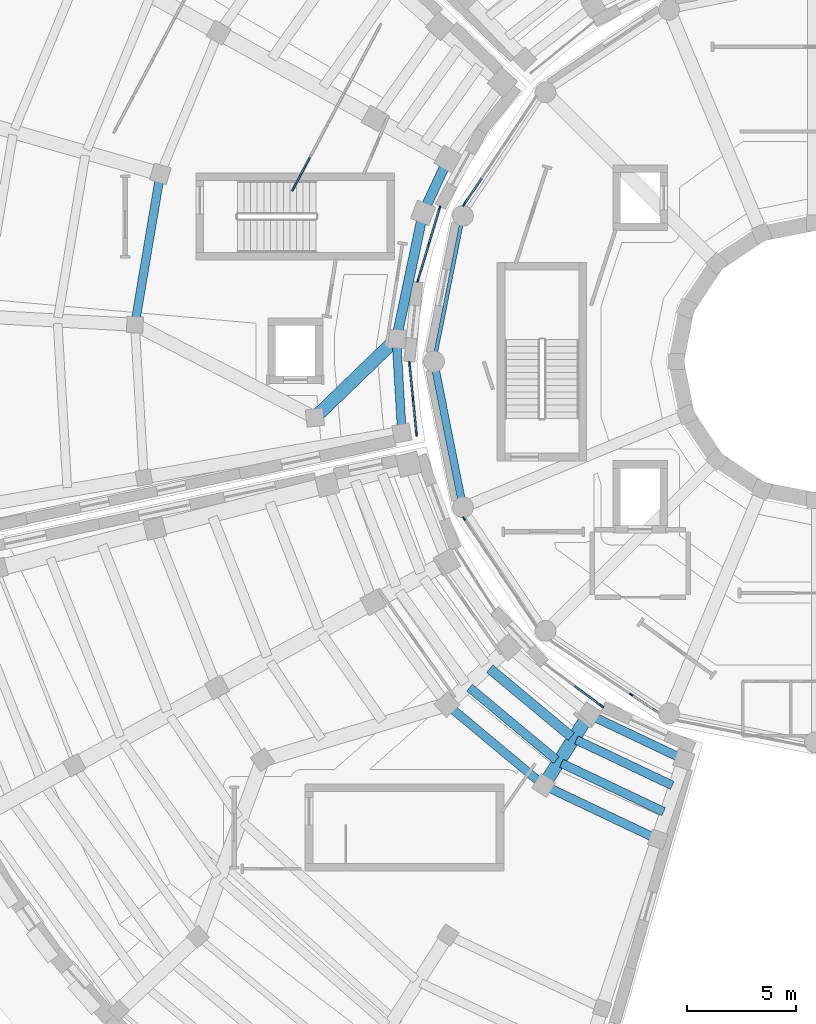
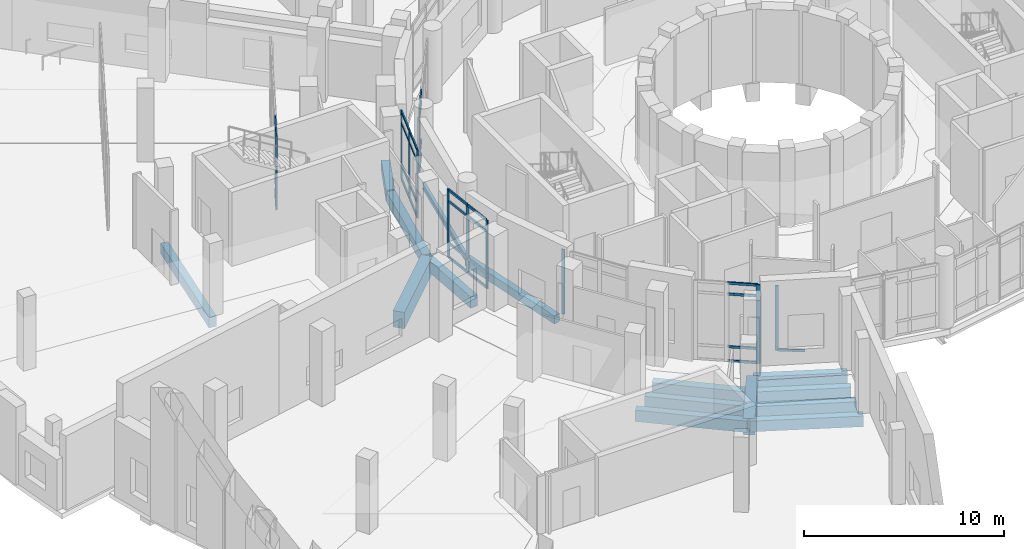
# One storey, part 11 of 89: 40 members, 15 beams, 7 elements without a shape of their own.
"""IFC4 building model written with IfcOpenShell, lengths in metres."""

import ifcopenshell
import ifcopenshell.guid

model = None  # the IFC model being written
_history = None  # IfcOwnerHistory: only IFC2X3 demands one
_inside = {}  # id of a spatial element -> (the spatial element, [elements in it])
_under = {}  # id of a project, library or spatial element -> (it, [spatial elements below it])
_declared = {}  # id of a project -> (the project, [libraries it declares])
_typed = {}  # id of a type object -> (the type object, [elements of that type])
_made_of = {}  # id of a material, layer set ... -> (it, [elements and type objects made of it])


def new_model(schema):
    """Start an empty IFC model of exactly this schema.

    Asked for "IFC4X3", IfcOpenShell would pick the latest addendum, in which some entities
    have other attributes; the version numbers below select the first issue.
    IFC2X3 requires an IfcOwnerHistory on every rooted entity: one is made here for all.
    """
    global model, _history
    if schema == "IFC4X3":
        model = ifcopenshell.file(schema_version=(4, 3, 0, 0))
    else:
        model = ifcopenshell.file(schema=schema)
    _inside.clear()
    _under.clear()
    _declared.clear()
    _typed.clear()
    _made_of.clear()
    _history = None
    if model.schema == "IFC2X3":
        org = make("IfcOrganization", Name="unknown")
        user = make(
            "IfcPersonAndOrganization",
            ThePerson=make("IfcPerson", FamilyName="unknown"),
            TheOrganization=org,
        )
        app = make(
            "IfcApplication",
            ApplicationDeveloper=org,
            Version="unknown",
            ApplicationFullName="unknown",
            ApplicationIdentifier="unknown",
        )
        _history = make(
            "IfcOwnerHistory",
            OwningUser=user,
            OwningApplication=app,
            ChangeAction="ADDED",
            CreationDate=0,
        )
    return model


def make(cls, **values):
    """One entity of the class cls with the attributes given. An attribute that is None is left unset."""
    return model.create_entity(
        cls, **{name: value for name, value in values.items() if value is not None}
    )


def rooted(cls, **values):
    """An entity with a GlobalId (a new one), such as an element, a storey or a relation."""
    return make(cls, GlobalId=ifcopenshell.guid.new(), OwnerHistory=_history, **values)


def si_unit(unit_type, name, prefix=None):
    """IfcSIUnit, for example si_unit("LENGTHUNIT", "METRE", prefix="MILLI")."""
    return make("IfcSIUnit", UnitType=unit_type, Prefix=prefix, Name=name)


def assignment(units):
    """IfcUnitAssignment: the units of a project."""
    return None if units is None else make("IfcUnitAssignment", Units=units)


def point(xyz):
    """IfcCartesianPoint."""
    return None if xyz is None else make("IfcCartesianPoint", Coordinates=xyz)


def direction(xyz):
    """IfcDirection."""
    return None if xyz is None else make("IfcDirection", DirectionRatios=xyz)


def frame(location, z_axis=None, x_axis=None):
    """IfcAxis2Placement3D, a coordinate frame: its origin and axes. An axis left out is left unset."""
    return make(
        "IfcAxis2Placement3D",
        Location=point(location),
        Axis=direction(z_axis),
        RefDirection=direction(x_axis),
    )


def frame_2d(location, x_axis=None):
    """IfcAxis2Placement2D, a coordinate frame in the plane: its origin and x axis."""
    return make(
        "IfcAxis2Placement2D", Location=point(location), RefDirection=direction(x_axis)
    )


def origin():
    """The frame at (0, 0, 0) with its axes left unset."""
    return frame((0.0, 0.0, 0.0))


def origin_2d():
    """The frame at (0, 0) in the plane with its x axis left unset."""
    return frame_2d((0.0, 0.0))


def place(relative_to, where):
    """IfcLocalPlacement: puts the frame where relative to a parent placement (None: the world)."""
    return make(
        "IfcLocalPlacement", PlacementRelTo=relative_to, RelativePlacement=where
    )


def context(
    kind, dimensions, precision=None, world=None, true_north=None, identifier=None
):
    """IfcGeometricRepresentationContext, for example the 3D "Model" context."""
    return make(
        "IfcGeometricRepresentationContext",
        ContextIdentifier=identifier,
        ContextType=kind,
        CoordinateSpaceDimension=dimensions,
        Precision=precision,
        WorldCoordinateSystem=world,
        TrueNorth=true_north,
    )


def subcontext(parent, identifier, kind, view, scale=None):
    """IfcGeometricRepresentationSubContext, for example "Body" below "Model"."""
    return make(
        "IfcGeometricRepresentationSubContext",
        ContextIdentifier=identifier,
        ContextType=kind,
        ParentContext=parent,
        TargetScale=scale,
        TargetView=view,
    )


def project(units=None, contexts=None):
    """IfcProject with its units and contexts."""
    return rooted(
        "IfcProject",
        Name="project",
        RepresentationContexts=contexts,
        UnitsInContext=assignment(units),
    )


def spatial(cls, under=None, at=None, **own):
    """A site, building, storey or space (cls), placed at a placement, below another one or the project."""
    s = rooted(cls, ObjectPlacement=at, **own)
    if under is not None:
        _under.setdefault(under.id(), (under, []))[1].append(s)
    return s


def profile(cls, at=None, kind="AREA", **sizes):
    """A parametric profile (cls). Its sizes go by their IFC names, for example OverallWidth=200.0."""
    return make(cls, ProfileType=kind, Position=at, **sizes)


def rectangle(**sizes):
    """IfcRectangleProfileDef."""
    return profile("IfcRectangleProfileDef", **sizes)


def i_section(**sizes):
    """IfcIShapeProfileDef."""
    return profile("IfcIShapeProfileDef", **sizes)


def extrude(swept, where, along, depth):
    """IfcExtrudedAreaSolid: the profile swept, set in the frame where, extruded along a direction by depth."""
    return make(
        "IfcExtrudedAreaSolid",
        SweptArea=swept,
        Position=where,
        ExtrudedDirection=direction(along),
        Depth=depth,
    )


def shape(context_of_items, identifier, shape_type, items):
    """IfcShapeRepresentation: the items that make up one representation, for example the "Body"."""
    return make(
        "IfcShapeRepresentation",
        ContextOfItems=context_of_items,
        RepresentationIdentifier=identifier,
        RepresentationType=shape_type,
        Items=items,
    )


def material(Name=None, Category=None):
    """IfcMaterial."""
    return make("IfcMaterial", Name=Name, Category=Category)


def material_profile(
    of_material, cross_section, Name=None, Category=None, Priority=None
):
    """IfcMaterialProfile: a cross section and its material."""
    return make(
        "IfcMaterialProfile",
        Name=Name,
        Material=of_material,
        Profile=cross_section,
        Priority=Priority,
        Category=Category,
    )


def profile_set(profiles, Name=None, composite=None):
    """IfcMaterialProfileSet."""
    return make(
        "IfcMaterialProfileSet",
        Name=Name,
        MaterialProfiles=profiles,
        CompositeProfile=composite,
    )


def made_of(thing, what):
    """Note that an element or type object is made of a material, layer set ...; save() writes the relation."""
    if what is not None:
        _made_of.setdefault(what.id(), (what, []))[1].append(thing)
    return thing


def type_object(cls, material=None, **own):
    """A type object (cls), such as IfcWallType, which elements share."""
    return made_of(rooted(cls, **own), material)


def element(
    cls,
    number,
    at=None,
    inside=None,
    cuts=None,
    type_object=None,
    material=None,
    context=None,
    identifier="Body",
    shape_type=None,
    held_by="IfcProductDefinitionShape",
    body=None,
    shapes=None,
    **own,
):
    """One element of the class cls, such as IfcWall. Its Tag is "e" and its number.

    at: its placement. inside: the storey or other place that contains it. cuts: it is an
    opening in that element (IfcRelVoidsElement). A single representation is given by context,
    identifier, shape_type and body (its items); several are given by shapes. held_by: the class
    of the entity that holds the representations. save() writes the other relations.
    """
    e = rooted(cls, Tag="e%d" % number, ObjectPlacement=at, **own)
    if body is not None:
        shapes = [shape(context, identifier, shape_type, body)]
    if shapes is not None:
        e.Representation = make(held_by, Representations=shapes)
    if inside is not None:
        _inside.setdefault(inside.id(), (inside, []))[1].append(e)
    if cuts is not None:
        rooted(
            "IfcRelVoidsElement", RelatingBuildingElement=cuts, RelatedOpeningElement=e
        )
    if type_object is not None:
        _typed.setdefault(type_object.id(), (type_object, []))[1].append(e)
    return made_of(e, material)


def aggregate(whole, parts):
    """IfcRelAggregates: a whole, such as a stair, and the parts it consists of."""
    return rooted("IfcRelAggregates", RelatingObject=whole, RelatedObjects=parts)


def save(model, path):
    """Write the relations noted so far, then the file.

    IfcRelAggregates (storeys below a building ...), IfcRelContainedInSpatialStructure (elements
    in a storey), IfcRelDefinesByType, IfcRelAssociatesMaterial and IfcRelDeclares: one each for
    every whole, place, type object, material and project.
    """
    for whole, parts in _under.values():
        aggregate(whole, parts)
    for where, things in _inside.values():
        rooted(
            "IfcRelContainedInSpatialStructure",
            RelatedElements=things,
            RelatingStructure=where,
        )
    for kind, things in _typed.values():
        rooted("IfcRelDefinesByType", RelatedObjects=things, RelatingType=kind)
    for what, things in _made_of.values():
        rooted("IfcRelAssociatesMaterial", RelatedObjects=things, RelatingMaterial=what)
    for by, libraries in _declared.values():
        rooted("IfcRelDeclares", RelatingContext=by, RelatedDefinitions=libraries)
    model.write(path)


model = new_model("IFC4")

# Units and contexts
model_context = context("Model", 3, precision=1e-05, world=origin(), true_north=direction((0.0, 1.0)))
body_context = subcontext(model_context, "Body", "Model", "MODEL_VIEW")
ifc_project = project(units=[si_unit("LENGTHUNIT", "METRE"), si_unit("AREAUNIT", "SQUARE_METRE"), si_unit("VOLUMEUNIT", "CUBIC_METRE"), si_unit("PLANEANGLEUNIT", "RADIAN"), si_unit("MASSUNIT", "GRAM", prefix="KILO")], contexts=[model_context])

# Site, building, storey
site_placement = place(None, origin())
site = spatial("IfcSite", under=ifc_project, at=site_placement, CompositionType="ELEMENT")
building_placement = place(site_placement, origin())
building = spatial("IfcBuilding", under=site, at=building_placement, Name="Soyqirgoq Riverine Aquarium", CompositionType="ELEMENT")
storey_placement = place(building_placement, frame((0.0, 0.0, 5.39990234375)))
storey = spatial("IfcBuildingStorey", under=building, at=storey_placement, Name="L02", CompositionType="ELEMENT", Elevation=5.39990234375)

# Beams
ifc_material_1 = material(Name="Concrete C40/50", Category="concrete")
ifc_material_profile_1 = material_profile(ifc_material_1, rectangle(XDim=0.39990234375, YDim=0.64990234375, at=origin_2d()), Name="RC 400x650")
ifc_profile_set_1 = profile_set([ifc_material_profile_1], Name="Concrete C40/50")
beam_type_1 = type_object("IfcBeamType", Name="Beam_RC_400x650", PredefinedType="BEAM", material=ifc_profile_set_1)
beam_1_placement = place(storey_placement, frame((44.392333984375, 38.591796875, -0.60498046875), z_axis=(0.903330475339, -0.428945278939, 0.0), x_axis=(0.428945278939, 0.903330475339, 0.0)))
element("IfcBeam", 1, at=beam_1_placement, inside=storey, type_object=beam_type_1, Name="V2 L02 Secondary Floor Joist 0266", PredefinedType="BEAM", context=body_context, shape_type="SweptSolid", body=[
    extrude(rectangle(XDim=0.39990234375, YDim=0.64990234375, at=origin_2d()), origin(), (0.0, 0.0, 1.0), 5.179443359375),
])
beam_2_placement = place(storey_placement, frame((43.62646484375, 37.56005859375, -0.60498046875), z_axis=(0.903332071495, -0.428941917523, 0.0), x_axis=(0.428941917523, 0.903332071495, 0.0)))
element("IfcBeam", 2, at=beam_2_placement, inside=storey, type_object=beam_type_1, Name="V2 L02 Wedge Chord Beam 0270", PredefinedType="BEAM", context=body_context, shape_type="SweptSolid", body=[
    extrude(rectangle(XDim=0.39990234375, YDim=0.64990234375, at=origin_2d()), origin(), (0.0, 0.0, 1.0), 5.677978515625),
])
beam_3_placement = place(storey_placement, frame((26.000244140625, 65.550537109375, -0.625), z_axis=(-0.165888516221, -0.986144512831, 0.0), x_axis=(0.986144512831, -0.165888516221, 0.0)))
element("IfcBeam", 3, at=beam_3_placement, inside=storey, type_object=beam_type_1, Name="V3 L02 Wedge Chord Beam 0386", PredefinedType="BEAM", context=body_context, shape_type="SweptSolid", body=[
    extrude(rectangle(XDim=0.39990234375, YDim=0.64990234375, at=origin_2d()), origin(), (0.0, 0.0, 1.0), 6.90966796875),
])
ifc_material_2 = material(Name="Concrete C40/50", Category="concrete")
ifc_material_profile_2 = material_profile(ifc_material_2, rectangle(XDim=0.39990234375, YDim=0.699951171875, at=origin_2d()), Name="RC 400x700")
ifc_profile_set_2 = profile_set([ifc_material_profile_2], Name="Concrete C40/50")
beam_type_2 = type_object("IfcBeamType", Name="Beam_RC_400x700", PredefinedType="BEAM", material=ifc_profile_set_2)
beam_4_placement = place(storey_placement, frame((45.70068359375, 40.803466796875, -0.6298828125), z_axis=(0.903338728756, -0.428927897356, 0.0), x_axis=(0.428927897356, 0.903338728756, 0.0)))
element("IfcBeam", 4, at=beam_4_placement, inside=storey, type_object=beam_type_2, Name="V2 L02 Wedge Chord Beam 0258", PredefinedType="BEAM", context=body_context, shape_type="SweptSolid", body=[
    extrude(rectangle(XDim=0.39990234375, YDim=0.699951171875, at=origin_2d()), origin(), (0.0, 0.0, 1.0), 4.712890625),
])
beam_5_placement = place(storey_placement, frame((40.178955078125, 42.056884765625, -0.6298828125), z_axis=(0.76827923127, -0.640114851257, 0.0), x_axis=(0.640114851257, 0.76827923127, 0.0)))
element("IfcBeam", 5, at=beam_5_placement, inside=storey, type_object=beam_type_2, Name="V2 L02 Secondary Floor Joist 0264", PredefinedType="BEAM", context=body_context, shape_type="SweptSolid", body=[
    extrude(rectangle(XDim=0.39990234375, YDim=0.699951171875, at=origin_2d()), origin(), (0.0, 0.0, 1.0), 5.179443359375),
])
beam_6_placement = place(storey_placement, frame((45.076904296875, 39.662109375, -0.6298828125), z_axis=(0.903323240937, -0.42896051378, 0.0), x_axis=(0.42896051378, 0.903323240937, 0.0)))
element("IfcBeam", 6, at=beam_6_placement, inside=storey, type_object=beam_type_2, Name="V2 L02 Secondary Floor Joist 0265", PredefinedType="BEAM", context=body_context, shape_type="SweptSolid", body=[
    extrude(rectangle(XDim=0.39990234375, YDim=0.699951171875, at=origin_2d()), origin(), (0.0, 0.0, 1.0), 4.861083984375),
])
beam_7_placement = place(storey_placement, frame((39.1806640625, 41.247802734375, -0.6298828125), z_axis=(0.768305861058, -0.640082888276, 0.0), x_axis=(0.640082888276, 0.768305861058, 0.0)))
element("IfcBeam", 7, at=beam_7_placement, inside=storey, type_object=beam_type_2, Name="V2 L02 Wedge Chord Beam 0269", PredefinedType="BEAM", context=body_context, shape_type="SweptSolid", body=[
    extrude(rectangle(XDim=0.39990234375, YDim=0.699951171875, at=origin_2d()), origin(), (0.0, 0.0, 1.0), 5.677734375),
])
beam_8_placement = place(storey_placement, frame((36.8310546875, 57.98828125, -0.64990234375), z_axis=(0.058463876628, -0.998289524702, 0.0), x_axis=(0.998289524702, 0.058463876628, 0.0)))
element("IfcBeam", 8, at=beam_8_placement, inside=storey, type_object=beam_type_2, Name="V3 L02 Wedge Chord Beam 0378", PredefinedType="BEAM", context=body_context, shape_type="SweptSolid", body=[
    extrude(rectangle(XDim=0.39990234375, YDim=0.699951171875, at=origin_2d()), origin(), (0.0, 0.0, 1.0), 4.213623046875),
])
ifc_material_3 = material(Name="Concrete C40/50", Category="concrete")
ifc_material_profile_3 = material_profile(ifc_material_3, rectangle(XDim=0.449951171875, YDim=0.64990234375, at=origin_2d()), Name="RC 450x650")
ifc_profile_set_3 = profile_set([ifc_material_profile_3], Name="Concrete C40/50")
beam_type_3 = type_object("IfcBeamType", Name="Beam_RC_450x650", PredefinedType="BEAM", material=ifc_profile_set_3)
beam_9_placement = place(storey_placement, frame((41.108154296875, 42.923095703125, -0.60498046875), z_axis=(0.76830772725, -0.640080648237, 0.0), x_axis=(0.640080648237, 0.76830772725, 0.0)))
element("IfcBeam", 9, at=beam_9_placement, inside=storey, type_object=beam_type_3, Name="V2 L02 Secondary Floor Joist 0263", PredefinedType="BEAM", context=body_context, shape_type="SweptSolid", body=[
    extrude(rectangle(XDim=0.449951171875, YDim=0.64990234375, at=origin_2d()), origin(), (0.0, 0.0, 1.0), 4.86083984375),
])
beam_10_placement = place(storey_placement, frame((38.041015625, 63.769287109375, -0.625), z_axis=(-0.207065366645, -0.978327109885, 0.0), x_axis=(0.978327109885, -0.207065366645, 0.0)))
element("IfcBeam", 10, at=beam_10_placement, inside=storey, type_object=beam_type_3, Name="V3 L02 Wedge Chord Beam 0377", PredefinedType="BEAM", context=body_context, shape_type="SweptSolid", body=[
    extrude(rectangle(XDim=0.449951171875, YDim=0.64990234375, at=origin_2d()), origin(), (0.0, 0.0, 1.0), 5.80810546875),
])
ifc_material_4 = material(Name="Concrete C40/50", Category="concrete")
ifc_material_profile_4 = material_profile(ifc_material_4, rectangle(XDim=0.449951171875, YDim=0.699951171875, at=origin_2d()), Name="RC 450x700")
ifc_profile_set_4 = profile_set([ifc_material_profile_4], Name="Concrete C40/50")
beam_type_4 = type_object("IfcBeamType", Name="Beam_RC_450x700", PredefinedType="BEAM", material=ifc_profile_set_4)
beam_11_placement = place(storey_placement, frame((39.170166015625, 66.233642578125, -0.64990234375), z_axis=(-0.420320258239, -0.907375820988, 0.0), x_axis=(0.907375820988, -0.420320258239, 0.0)))
element("IfcBeam", 11, at=beam_11_placement, inside=storey, type_object=beam_type_4, Name="V3 L02 Wedge Chord Beam 0376", PredefinedType="BEAM", context=body_context, shape_type="SweptSolid", body=[
    extrude(rectangle(XDim=0.449951171875, YDim=0.699951171875, at=origin_2d()), origin(), (0.0, 0.0, 1.0), 2.612060546875),
])

# Curtain wall, member
ifc_material_5 = material(Name="Anodised aluminium thermally broken triple low-E glazing", Category="aluminium")
curtain_wall_type_1 = type_object("IfcCurtainWallType", Name="CW_DrumGallery_Unitised", PredefinedType="NOTDEFINED", material=ifc_material_5)
curtain_wall_1_placement = place(storey_placement, origin())
curtain_wall_1 = element("IfcCurtainWall", 12, at=curtain_wall_1_placement, inside=storey, type_object=curtain_wall_type_1, Name="V1 L02 Curtain Wall 024", PredefinedType="NOTDEFINED")
ifc_material_6 = material(Name="Anodised aluminium 6063-T6", Category="aluminium")
ifc_material_profile_5 = material_profile(ifc_material_6, rectangle(XDim=0.06494140625, YDim=0.179931640625, at=origin_2d()), Name="ALU-M 65x180")
ifc_profile_set_5 = profile_set([ifc_material_profile_5], Name="Anodised aluminium 6063-T6")
member_type_1 = type_object("IfcMemberType", Name="CWMullion_65x180", PredefinedType="MULLION", material=ifc_profile_set_5)
member_1_placement = place(storey_placement, frame((39.93115234375, 64.1982421875, 0.0), z_axis=(0.0, 0.0, 1.0), x_axis=(0.8314732256, -0.5555648253, 0.0)))
member_1 = element("IfcMember", 13, at=member_1_placement, type_object=member_type_1, Name="CW-01 mullion 5", PredefinedType="MULLION", context=body_context, shape_type="SweptSolid", body=[
    extrude(rectangle(XDim=0.06494140625, YDim=0.179931640625, at=origin_2d()), origin(), (0.0, 0.0, 1.0), 3.9501953125),
])

curtain_wall_2_placement = place(storey_placement, origin())
curtain_wall_2 = element("IfcCurtainWall", 14, at=curtain_wall_2_placement, inside=storey, type_object=curtain_wall_type_1, Name="V1 L02 Curtain Wall 035", PredefinedType="NOTDEFINED")
member_2_placement = place(storey_placement, frame((39.93115234375, 49.8017578125, 0.0), z_axis=(0.0, 0.0, 1.0), x_axis=(0.8314732256, 0.5555648253, 0.0)))
member_2 = element("IfcMember", 15, at=member_2_placement, type_object=member_type_1, Name="CW-01 mullion 1", PredefinedType="MULLION", context=body_context, shape_type="SweptSolid", body=[
    extrude(rectangle(XDim=0.06494140625, YDim=0.179931640625, at=origin_2d()), origin(), (0.0, 0.0, 1.0), 3.9501953125),
])
aggregate(curtain_wall_2, [member_2])

curtain_wall_3_placement = place(storey_placement, origin())
curtain_wall_3 = element("IfcCurtainWall", 16, at=curtain_wall_3_placement, inside=storey, type_object=curtain_wall_type_1, Name="V1 L02 Curtain Wall 042", PredefinedType="NOTDEFINED")
member_3_placement = place(storey_placement, frame((47.592041015625, 41.7392578125, 0.0), z_axis=(0.0, 0.0, 1.0), x_axis=(0.5555648253, 0.8314732256, 0.0)))
member_3 = element("IfcMember", 17, at=member_3_placement, type_object=member_type_1, Name="CW-01 mullion 4", PredefinedType="MULLION", context=body_context, shape_type="SweptSolid", body=[
    extrude(rectangle(XDim=0.06494140625, YDim=0.179931640625, at=origin_2d()), origin(), (0.0, 0.0, 1.0), 3.9501953125),
])

# Curtain wall, members
ifc_material_7 = material(Name="Anodised aluminium thermally broken double low-E glazing", Category="aluminium")
curtain_wall_type_2 = type_object("IfcCurtainWallType", Name="CW_Wedge_NorthBay", PredefinedType="NOTDEFINED", material=ifc_material_7)
curtain_wall_4_placement = place(storey_placement, origin())
curtain_wall_4 = element("IfcCurtainWall", 18, at=curtain_wall_4_placement, inside=storey, type_object=curtain_wall_type_2, Name="V3 L02 Curtain Wall 083", PredefinedType="NOTDEFINED")
member_4_placement = place(storey_placement, frame((38.8125, 64.041259765625, 0.0), z_axis=(0.0, 0.0, 1.0), x_axis=(0.957590038904, -0.288134200317, 0.0)))
member_4 = element("IfcMember", 19, at=member_4_placement, type_object=member_type_1, Name="CW-03 mullion 1", PredefinedType="MULLION", context=body_context, shape_type="SweptSolid", body=[
    extrude(rectangle(XDim=0.06494140625, YDim=0.179931640625, at=origin_2d()), origin(), (0.0, 0.0, 1.0), 4.170166015625),
])
member_5_placement = place(storey_placement, frame((38.312744140625, 62.380126953125, 0.0), z_axis=(0.0, 0.0, 1.0), x_axis=(0.957590038904, -0.288134200317, 0.0)))
member_5 = element("IfcMember", 20, at=member_5_placement, type_object=member_type_1, Name="CW-03 mullion 2", PredefinedType="MULLION", context=body_context, shape_type="SweptSolid", body=[
    extrude(rectangle(XDim=0.06494140625, YDim=0.179931640625, at=origin_2d()), origin(), (0.0, 0.0, 1.0), 4.170166015625),
])
member_6_placement = place(storey_placement, frame((37.812744140625, 60.71875, 0.0), z_axis=(0.0, 0.0, 1.0), x_axis=(0.957590038904, -0.288134200317, 0.0)))
member_6 = element("IfcMember", 21, at=member_6_placement, type_object=member_type_1, Name="CW-03 mullion 3", PredefinedType="MULLION", context=body_context, shape_type="SweptSolid", body=[
    extrude(rectangle(XDim=0.06494140625, YDim=0.179931640625, at=origin_2d()), origin(), (0.0, 0.0, 1.0), 4.170166015625),
])

curtain_wall_5_placement = place(storey_placement, origin())
curtain_wall_5 = element("IfcCurtainWall", 22, at=curtain_wall_5_placement, inside=storey, type_object=curtain_wall_type_2, Name="V3 L02 Curtain Wall 084", PredefinedType="NOTDEFINED")
member_7_placement = place(storey_placement, frame((37.426025390625, 56.927734375, 0.0), z_axis=(0.0, 0.0, 1.0), x_axis=(0.995073544145, 0.099139506467, 0.0)))
member_7 = element("IfcMember", 23, at=member_7_placement, type_object=member_type_1, Name="CW-03 mullion 1", PredefinedType="MULLION", context=body_context, shape_type="SweptSolid", body=[
    extrude(rectangle(XDim=0.06494140625, YDim=0.179931640625, at=origin_2d()), origin(), (0.0, 0.0, 1.0), 4.170166015625),
])
member_8_placement = place(storey_placement, frame((37.588623046875, 55.29638671875, 0.0), z_axis=(0.0, 0.0, 1.0), x_axis=(0.995073544145, 0.099139506467, 0.0)))
member_8 = element("IfcMember", 24, at=member_8_placement, type_object=member_type_1, Name="CW-03 mullion 2", PredefinedType="MULLION", context=body_context, shape_type="SweptSolid", body=[
    extrude(rectangle(XDim=0.06494140625, YDim=0.179931640625, at=origin_2d()), origin(), (0.0, 0.0, 1.0), 4.170166015625),
])
member_9_placement = place(storey_placement, frame((37.7509765625, 53.6650390625, 0.0), z_axis=(0.0, 0.0, 1.0), x_axis=(0.995073544145, 0.099139506467, 0.0)))
member_9 = element("IfcMember", 25, at=member_9_placement, type_object=member_type_1, Name="CW-03 mullion 3", PredefinedType="MULLION", context=body_context, shape_type="SweptSolid", body=[
    extrude(rectangle(XDim=0.06494140625, YDim=0.179931640625, at=origin_2d()), origin(), (0.0, 0.0, 1.0), 4.170166015625),
])

# Curtain wall, member
curtain_wall_6_placement = place(storey_placement, origin())
curtain_wall_6 = element("IfcCurtainWall", 26, at=curtain_wall_6_placement, inside=storey, type_object=curtain_wall_type_2, Name="V2 L02 Curtain Wall 082", PredefinedType="NOTDEFINED")
ifc_material_8 = material(Name="Anodised aluminium 6063-T6", Category="aluminium")
ifc_material_profile_6 = material_profile(ifc_material_8, rectangle(XDim=0.080078125, YDim=0.219970703125, at=origin_2d()), Name="ALU-M 80x220")
ifc_profile_set_6 = profile_set([ifc_material_profile_6], Name="Anodised aluminium 6063-T6")
member_type_2 = type_object("IfcMemberType", Name="CWMullion_80x220", PredefinedType="MULLION", material=ifc_profile_set_6)
member_10_placement = place(storey_placement, frame((46.23291015625, 41.2138671875, 0.0), z_axis=(0.0, 0.0, 1.0), x_axis=(0.597148753982, 0.802130516573, 0.0)))
member_10 = element("IfcMember", 27, at=member_10_placement, type_object=member_type_2, Name="CW-03 mullion 3", PredefinedType="MULLION", context=body_context, shape_type="SweptSolid", body=[
    extrude(rectangle(XDim=0.080078125, YDim=0.219970703125, at=origin_2d()), origin(), (0.0, 0.0, 1.0), 4.81005859375),
])

ifc_material_9 = material(Name="Cast polymethyl methacrylate PMMA Habitat Viewing Glazing", Category="glass")
curtain_wall_type_3 = type_object("IfcCurtainWallType", Name="CW_Interior_TankVitrine", PredefinedType="NOTDEFINED", material=ifc_material_9)
curtain_wall_7_placement = place(storey_placement, origin())
curtain_wall_7 = element("IfcCurtainWall", 28, at=curtain_wall_7_placement, inside=storey, type_object=curtain_wall_type_3, Name="V3 L02 Curtain Wall 149", PredefinedType="NOTDEFINED")
member_11_placement = place(storey_placement, frame((32.09912109375, 64.910888671875, 0.0), z_axis=(0.0, 0.0, 1.0), x_axis=(0.882946853562, -0.469472953199, 0.0)))
member_11 = element("IfcMember", 29, at=member_11_placement, type_object=member_type_2, Name="CW-07 mullion 6", PredefinedType="MULLION", context=body_context, shape_type="SweptSolid", body=[
    extrude(rectangle(XDim=0.080078125, YDim=0.219970703125, at=origin_2d()), origin(), (0.0, 0.0, 1.0), 4.52001953125),
])

# Member
ifc_material_10 = material(Name="Anodised aluminium 6063-T6", Category="aluminium")
ifc_material_profile_7 = material_profile(ifc_material_10, rectangle(XDim=0.074951171875, YDim=0.14990234375, at=origin_2d()), Name="ALU-T 75x150")
ifc_profile_set_7 = profile_set([ifc_material_profile_7], Name="Anodised aluminium 6063-T6")
member_type_3 = type_object("IfcMemberType", Name="CWTransom_75x150", PredefinedType="USERDEFINED", material=ifc_profile_set_7)
member_12_placement = place(storey_placement, frame((40.721435546875, 65.380859375, 0.03759765625), z_axis=(-0.555551087144, -0.831482404849, 0.0), x_axis=(0.831482404849, -0.555551087144, 0.0)))
member_12 = element("IfcMember", 30, at=member_12_placement, type_object=member_type_3, Name="CW-01 transom 4.1", ObjectType="TRANSOM", PredefinedType="USERDEFINED", context=body_context, shape_type="SweptSolid", body=[
    extrude(rectangle(XDim=0.074951171875, YDim=0.14990234375, at=origin_2d()), origin(), (0.0, 0.0, 1.0), 1.389892578125),
])

member_13_placement = place(storey_placement, frame((40.721435546875, 65.380859375, 0.900146484375), z_axis=(-0.555551087144, -0.831482404849, 0.0), x_axis=(0.831482404849, -0.555551087144, 0.0)))
member_13 = element("IfcMember", 31, at=member_13_placement, type_object=member_type_3, Name="CW-01 transom 4.2", ObjectType="TRANSOM", PredefinedType="USERDEFINED", context=body_context, shape_type="SweptSolid", body=[
    extrude(rectangle(XDim=0.074951171875, YDim=0.14990234375, at=origin_2d()), origin(), (0.0, 0.0, 1.0), 1.389892578125),
])

member_14_placement = place(storey_placement, frame((40.721435546875, 65.380859375, 3.25), z_axis=(-0.555551087144, -0.831482404849, 0.0), x_axis=(0.831482404849, -0.555551087144, 0.0)))
member_14 = element("IfcMember", 32, at=member_14_placement, type_object=member_type_3, Name="CW-01 transom 4.3", ObjectType="TRANSOM", PredefinedType="USERDEFINED", context=body_context, shape_type="SweptSolid", body=[
    extrude(rectangle(XDim=0.074951171875, YDim=0.14990234375, at=origin_2d()), origin(), (0.0, 0.0, 1.0), 1.389892578125),
])

member_15_placement = place(storey_placement, frame((40.721435546875, 65.380859375, 3.91259765625), z_axis=(-0.555551087144, -0.831482404849, 0.0), x_axis=(0.831482404849, -0.555551087144, 0.0)))
member_15 = element("IfcMember", 33, at=member_15_placement, type_object=member_type_3, Name="CW-01 transom 4.4", ObjectType="TRANSOM", PredefinedType="USERDEFINED", context=body_context, shape_type="SweptSolid", body=[
    extrude(rectangle(XDim=0.074951171875, YDim=0.14990234375, at=origin_2d()), origin(), (0.0, 0.0, 1.0), 1.389892578125),
])

aggregate(curtain_wall_1, [member_1, member_12, member_13, member_14, member_15])

member_16_placement = place(storey_placement, frame((47.619140625, 41.721435546875, 0.03759765625), z_axis=(0.831482404849, -0.555551087144, 0.0), x_axis=(0.555551087144, 0.831482404849, 0.0)))
member_16 = element("IfcMember", 34, at=member_16_placement, type_object=member_type_3, Name="CW-01 transom 4.1", ObjectType="TRANSOM", PredefinedType="USERDEFINED", context=body_context, shape_type="SweptSolid", body=[
    extrude(rectangle(XDim=0.074951171875, YDim=0.14990234375, at=origin_2d()), origin(), (0.0, 0.0, 1.0), 1.389892578125),
])

aggregate(curtain_wall_3, [member_3, member_16])

member_17_placement = place(storey_placement, frame((44.98779296875, 42.140869140625, 0.03759765625), z_axis=(0.802145108792, -0.597129152228, 0.0), x_axis=(0.597129152228, 0.802145108792, 0.0)))
member_17 = element("IfcMember", 35, at=member_17_placement, type_object=member_type_3, Name="CW-03 transom 2.1", ObjectType="TRANSOM", PredefinedType="USERDEFINED", context=body_context, shape_type="SweptSolid", body=[
    extrude(rectangle(XDim=0.074951171875, YDim=0.14990234375, at=origin_2d()), origin(), (0.0, 0.0, 1.0), 1.512451171875),
])

member_18_placement = place(storey_placement, frame((44.98779296875, 42.140869140625, 0.900146484375), z_axis=(0.802145108792, -0.597129152228, 0.0), x_axis=(0.597129152228, 0.802145108792, 0.0)))
member_18 = element("IfcMember", 36, at=member_18_placement, type_object=member_type_3, Name="CW-03 transom 2.2", ObjectType="TRANSOM", PredefinedType="USERDEFINED", context=body_context, shape_type="SweptSolid", body=[
    extrude(rectangle(XDim=0.074951171875, YDim=0.14990234375, at=origin_2d()), origin(), (0.0, 0.0, 1.0), 1.512451171875),
])

member_19_placement = place(storey_placement, frame((44.98779296875, 42.140869140625, 4.110107421875), z_axis=(0.802145108792, -0.597129152228, 0.0), x_axis=(0.597129152228, 0.802145108792, 0.0)))
member_19 = element("IfcMember", 37, at=member_19_placement, type_object=member_type_3, Name="CW-03 transom 2.3", ObjectType="TRANSOM", PredefinedType="USERDEFINED", context=body_context, shape_type="SweptSolid", body=[
    extrude(rectangle(XDim=0.074951171875, YDim=0.14990234375, at=origin_2d()), origin(), (0.0, 0.0, 1.0), 1.512451171875),
])

member_20_placement = place(storey_placement, frame((44.98779296875, 42.140869140625, 4.772705078125), z_axis=(0.802145108792, -0.597129152228, 0.0), x_axis=(0.597129152228, 0.802145108792, 0.0)))
member_20 = element("IfcMember", 38, at=member_20_placement, type_object=member_type_3, Name="CW-03 transom 2.4", ObjectType="TRANSOM", PredefinedType="USERDEFINED", context=body_context, shape_type="SweptSolid", body=[
    extrude(rectangle(XDim=0.074951171875, YDim=0.14990234375, at=origin_2d()), origin(), (0.0, 0.0, 1.0), 1.512451171875),
])

aggregate(curtain_wall_6, [member_10, member_17, member_18, member_19, member_20])

member_21_placement = place(storey_placement, frame((38.80322265625, 64.01025390625, 0.03759765625), z_axis=(-0.288152533377, -0.957584522384, 0.0), x_axis=(0.957584522384, -0.288152533377, 0.0)))
member_21 = element("IfcMember", 39, at=member_21_placement, type_object=member_type_3, Name="CW-03 transom 1.1", ObjectType="TRANSOM", PredefinedType="USERDEFINED", context=body_context, shape_type="SweptSolid", body=[
    extrude(rectangle(XDim=0.074951171875, YDim=0.14990234375, at=origin_2d()), origin(), (0.0, 0.0, 1.0), 1.669921875),
])

member_22_placement = place(storey_placement, frame((38.80322265625, 64.01025390625, 0.900146484375), z_axis=(-0.288152533377, -0.957584522384, 0.0), x_axis=(0.957584522384, -0.288152533377, 0.0)))
member_22 = element("IfcMember", 40, at=member_22_placement, type_object=member_type_3, Name="CW-03 transom 1.2", ObjectType="TRANSOM", PredefinedType="USERDEFINED", context=body_context, shape_type="SweptSolid", body=[
    extrude(rectangle(XDim=0.074951171875, YDim=0.14990234375, at=origin_2d()), origin(), (0.0, 0.0, 1.0), 1.669921875),
])

member_23_placement = place(storey_placement, frame((38.80322265625, 64.01025390625, 3.47021484375), z_axis=(-0.288152533377, -0.957584522384, 0.0), x_axis=(0.957584522384, -0.288152533377, 0.0)))
member_23 = element("IfcMember", 41, at=member_23_placement, type_object=member_type_3, Name="CW-03 transom 1.3", ObjectType="TRANSOM", PredefinedType="USERDEFINED", context=body_context, shape_type="SweptSolid", body=[
    extrude(rectangle(XDim=0.074951171875, YDim=0.14990234375, at=origin_2d()), origin(), (0.0, 0.0, 1.0), 1.669921875),
])

member_24_placement = place(storey_placement, frame((38.80322265625, 64.01025390625, 4.132568359375), z_axis=(-0.288152533377, -0.957584522384, 0.0), x_axis=(0.957584522384, -0.288152533377, 0.0)))
member_24 = element("IfcMember", 42, at=member_24_placement, type_object=member_type_3, Name="CW-03 transom 1.4", ObjectType="TRANSOM", PredefinedType="USERDEFINED", context=body_context, shape_type="SweptSolid", body=[
    extrude(rectangle(XDim=0.074951171875, YDim=0.14990234375, at=origin_2d()), origin(), (0.0, 0.0, 1.0), 1.669921875),
])

member_25_placement = place(storey_placement, frame((38.30322265625, 62.348876953125, 0.03759765625), z_axis=(-0.288152533377, -0.957584522384, 0.0), x_axis=(0.957584522384, -0.288152533377, 0.0)))
member_25 = element("IfcMember", 43, at=member_25_placement, type_object=member_type_3, Name="CW-03 transom 2.1", ObjectType="TRANSOM", PredefinedType="USERDEFINED", context=body_context, shape_type="SweptSolid", body=[
    extrude(rectangle(XDim=0.074951171875, YDim=0.14990234375, at=origin_2d()), origin(), (0.0, 0.0, 1.0), 1.669921875),
])

member_26_placement = place(storey_placement, frame((38.30322265625, 62.348876953125, 0.900146484375), z_axis=(-0.288152533377, -0.957584522384, 0.0), x_axis=(0.957584522384, -0.288152533377, 0.0)))
member_26 = element("IfcMember", 44, at=member_26_placement, type_object=member_type_3, Name="CW-03 transom 2.2", ObjectType="TRANSOM", PredefinedType="USERDEFINED", context=body_context, shape_type="SweptSolid", body=[
    extrude(rectangle(XDim=0.074951171875, YDim=0.14990234375, at=origin_2d()), origin(), (0.0, 0.0, 1.0), 1.669921875),
])

member_27_placement = place(storey_placement, frame((38.30322265625, 62.348876953125, 3.47021484375), z_axis=(-0.288152533377, -0.957584522384, 0.0), x_axis=(0.957584522384, -0.288152533377, 0.0)))
member_27 = element("IfcMember", 45, at=member_27_placement, type_object=member_type_3, Name="CW-03 transom 2.3", ObjectType="TRANSOM", PredefinedType="USERDEFINED", context=body_context, shape_type="SweptSolid", body=[
    extrude(rectangle(XDim=0.074951171875, YDim=0.14990234375, at=origin_2d()), origin(), (0.0, 0.0, 1.0), 1.669921875),
])

member_28_placement = place(storey_placement, frame((38.30322265625, 62.348876953125, 4.132568359375), z_axis=(-0.288152533377, -0.957584522384, 0.0), x_axis=(0.957584522384, -0.288152533377, 0.0)))
member_28 = element("IfcMember", 46, at=member_28_placement, type_object=member_type_3, Name="CW-03 transom 2.4", ObjectType="TRANSOM", PredefinedType="USERDEFINED", context=body_context, shape_type="SweptSolid", body=[
    extrude(rectangle(XDim=0.074951171875, YDim=0.14990234375, at=origin_2d()), origin(), (0.0, 0.0, 1.0), 1.669921875),
])

aggregate(curtain_wall_4, [member_4, member_5, member_6, member_21, member_22, member_23, member_24, member_25, member_26, member_27, member_28])

member_29_placement = place(storey_placement, frame((37.42919921875, 56.895263671875, 0.03759765625), z_axis=(0.099242712178, -0.995063256321, 0.0), x_axis=(0.995063256321, 0.099242712178, 0.0)))
member_29 = element("IfcMember", 47, at=member_29_placement, type_object=member_type_3, Name="CW-03 transom 1.1", ObjectType="TRANSOM", PredefinedType="USERDEFINED", context=body_context, shape_type="SweptSolid", body=[
    extrude(rectangle(XDim=0.074951171875, YDim=0.14990234375, at=origin_2d()), origin(), (0.0, 0.0, 1.0), 1.574462890625),
])

member_30_placement = place(storey_placement, frame((37.42919921875, 56.895263671875, 0.900146484375), z_axis=(0.099242712178, -0.995063256321, 0.0), x_axis=(0.995063256321, 0.099242712178, 0.0)))
member_30 = element("IfcMember", 48, at=member_30_placement, type_object=member_type_3, Name="CW-03 transom 1.2", ObjectType="TRANSOM", PredefinedType="USERDEFINED", context=body_context, shape_type="SweptSolid", body=[
    extrude(rectangle(XDim=0.074951171875, YDim=0.14990234375, at=origin_2d()), origin(), (0.0, 0.0, 1.0), 1.574462890625),
])

member_31_placement = place(storey_placement, frame((37.42919921875, 56.895263671875, 3.47021484375), z_axis=(0.099242712178, -0.995063256321, 0.0), x_axis=(0.995063256321, 0.099242712178, 0.0)))
member_31 = element("IfcMember", 49, at=member_31_placement, type_object=member_type_3, Name="CW-03 transom 1.3", ObjectType="TRANSOM", PredefinedType="USERDEFINED", context=body_context, shape_type="SweptSolid", body=[
    extrude(rectangle(XDim=0.074951171875, YDim=0.14990234375, at=origin_2d()), origin(), (0.0, 0.0, 1.0), 1.574462890625),
])

member_32_placement = place(storey_placement, frame((37.42919921875, 56.895263671875, 4.132568359375), z_axis=(0.099242712178, -0.995063256321, 0.0), x_axis=(0.995063256321, 0.099242712178, 0.0)))
member_32 = element("IfcMember", 50, at=member_32_placement, type_object=member_type_3, Name="CW-03 transom 1.4", ObjectType="TRANSOM", PredefinedType="USERDEFINED", context=body_context, shape_type="SweptSolid", body=[
    extrude(rectangle(XDim=0.074951171875, YDim=0.14990234375, at=origin_2d()), origin(), (0.0, 0.0, 1.0), 1.574462890625),
])

member_33_placement = place(storey_placement, frame((37.591796875, 55.263916015625, 0.03759765625), z_axis=(0.099089169168, -0.995078557981, 0.0), x_axis=(0.995078557981, 0.099089169168, 0.0)))
member_33 = element("IfcMember", 51, at=member_33_placement, type_object=member_type_3, Name="CW-03 transom 2.1", ObjectType="TRANSOM", PredefinedType="USERDEFINED", context=body_context, shape_type="SweptSolid", body=[
    extrude(rectangle(XDim=0.074951171875, YDim=0.14990234375, at=origin_2d()), origin(), (0.0, 0.0, 1.0), 1.574462890625),
])

member_34_placement = place(storey_placement, frame((37.591796875, 55.263916015625, 0.900146484375), z_axis=(0.099089169168, -0.995078557981, 0.0), x_axis=(0.995078557981, 0.099089169168, 0.0)))
member_34 = element("IfcMember", 52, at=member_34_placement, type_object=member_type_3, Name="CW-03 transom 2.2", ObjectType="TRANSOM", PredefinedType="USERDEFINED", context=body_context, shape_type="SweptSolid", body=[
    extrude(rectangle(XDim=0.074951171875, YDim=0.14990234375, at=origin_2d()), origin(), (0.0, 0.0, 1.0), 1.574462890625),
])

member_35_placement = place(storey_placement, frame((37.591796875, 55.263916015625, 3.47021484375), z_axis=(0.099089169168, -0.995078557981, 0.0), x_axis=(0.995078557981, 0.099089169168, 0.0)))
member_35 = element("IfcMember", 53, at=member_35_placement, type_object=member_type_3, Name="CW-03 transom 2.3", ObjectType="TRANSOM", PredefinedType="USERDEFINED", context=body_context, shape_type="SweptSolid", body=[
    extrude(rectangle(XDim=0.074951171875, YDim=0.14990234375, at=origin_2d()), origin(), (0.0, 0.0, 1.0), 1.574462890625),
])

member_36_placement = place(storey_placement, frame((37.591796875, 55.263916015625, 4.132568359375), z_axis=(0.099089169168, -0.995078557981, 0.0), x_axis=(0.995078557981, 0.099089169168, 0.0)))
member_36 = element("IfcMember", 54, at=member_36_placement, type_object=member_type_3, Name="CW-03 transom 2.4", ObjectType="TRANSOM", PredefinedType="USERDEFINED", context=body_context, shape_type="SweptSolid", body=[
    extrude(rectangle(XDim=0.074951171875, YDim=0.14990234375, at=origin_2d()), origin(), (0.0, 0.0, 1.0), 1.574462890625),
])

aggregate(curtain_wall_5, [member_7, member_8, member_9, member_29, member_30, member_31, member_32, member_33, member_34, member_35, member_36])

member_37_placement = place(storey_placement, frame((32.864501953125, 66.350341796875, 0.03759765625), z_axis=(-0.46942457219, -0.882972576598, 0.0), x_axis=(0.882972576598, -0.46942457219, 0.0)))
member_37 = element("IfcMember", 55, at=member_37_placement, type_object=member_type_3, Name="CW-07 transom 5.1", ObjectType="TRANSOM", PredefinedType="USERDEFINED", context=body_context, shape_type="SweptSolid", body=[
    extrude(rectangle(XDim=0.074951171875, YDim=0.14990234375, at=origin_2d()), origin(), (0.0, 0.0, 1.0), 1.59033203125),
])

member_38_placement = place(storey_placement, frame((32.864501953125, 66.350341796875, 0.900146484375), z_axis=(-0.46942457219, -0.882972576598, 0.0), x_axis=(0.882972576598, -0.46942457219, 0.0)))
member_38 = element("IfcMember", 56, at=member_38_placement, type_object=member_type_3, Name="CW-07 transom 5.2", ObjectType="TRANSOM", PredefinedType="USERDEFINED", context=body_context, shape_type="SweptSolid", body=[
    extrude(rectangle(XDim=0.074951171875, YDim=0.14990234375, at=origin_2d()), origin(), (0.0, 0.0, 1.0), 1.59033203125),
])

member_39_placement = place(storey_placement, frame((32.864501953125, 66.350341796875, 3.820068359375), z_axis=(-0.46942457219, -0.882972576598, 0.0), x_axis=(0.882972576598, -0.46942457219, 0.0)))
member_39 = element("IfcMember", 57, at=member_39_placement, type_object=member_type_3, Name="CW-07 transom 5.3", ObjectType="TRANSOM", PredefinedType="USERDEFINED", context=body_context, shape_type="SweptSolid", body=[
    extrude(rectangle(XDim=0.074951171875, YDim=0.14990234375, at=origin_2d()), origin(), (0.0, 0.0, 1.0), 1.59033203125),
])

member_40_placement = place(storey_placement, frame((32.864501953125, 66.350341796875, 4.482666015625), z_axis=(-0.46942457219, -0.882972576598, 0.0), x_axis=(0.882972576598, -0.46942457219, 0.0)))
member_40 = element("IfcMember", 58, at=member_40_placement, type_object=member_type_3, Name="CW-07 transom 5.4", ObjectType="TRANSOM", PredefinedType="USERDEFINED", context=body_context, shape_type="SweptSolid", body=[
    extrude(rectangle(XDim=0.074951171875, YDim=0.14990234375, at=origin_2d()), origin(), (0.0, 0.0, 1.0), 1.59033203125),
])

aggregate(curtain_wall_7, [member_11, member_37, member_38, member_39, member_40])

# Beams
ifc_material_11 = material(Name="Concrete C40/50", Category="concrete")
ifc_material_profile_8 = material_profile(ifc_material_11, rectangle(XDim=0.60009765625, YDim=1.0, at=origin_2d()), Name="RC 600x1000")
ifc_profile_set_8 = profile_set([ifc_material_profile_8], Name="Concrete C40/50")
beam_type_5 = type_object("IfcBeamType", Name="Girder_RC_600x1000", PredefinedType="BEAM", material=ifc_profile_set_8)
beam_12_placement = place(storey_placement, frame((45.628662109375, 40.78271484375, -0.77978515625), z_axis=(-0.53879503128, -0.842436890377, 0.0), x_axis=(0.842436890377, -0.53879503128, 0.0)))
element("IfcBeam", 59, at=beam_12_placement, inside=storey, type_object=beam_type_5, Name="V2 L02 Wedge Radial Girder 0248", PredefinedType="BEAM", context=body_context, shape_type="SweptSolid", body=[
    extrude(rectangle(XDim=0.60009765625, YDim=1.0, at=origin_2d()), origin(), (0.0, 0.0, 1.0), 3.75),
])
beam_13_placement = place(storey_placement, frame((36.7919921875, 58.003662109375, -0.7998046875), z_axis=(-0.719179208553, -0.694824629662, 0.0), x_axis=(0.694824629662, -0.719179208553, 0.0)))
element("IfcBeam", 60, at=beam_13_placement, inside=storey, type_object=beam_type_5, Name="V3 L02 Wedge Radial Girder 0368", PredefinedType="BEAM", context=body_context, shape_type="SweptSolid", body=[
    extrude(rectangle(XDim=0.60009765625, YDim=1.0, at=origin_2d()), origin(), (0.0, 0.0, 1.0), 5.092529296875),
])
ifc_material_12 = material(Name="Concrete C40/50", Category="concrete")
ifc_material_profile_9 = material_profile(ifc_material_12, rectangle(XDim=0.35009765625, YDim=0.5, at=origin_2d()), Name="RC 350x500")
ifc_profile_set_9 = profile_set([ifc_material_profile_9], Name="Concrete C40/50")
beam_type_6 = type_object("IfcBeamType", Name="Spandrel_RC_350x500", PredefinedType="SPANDREL", material=ifc_profile_set_9)
beam_14_placement = place(storey_placement, frame((38.553955078125, 56.98046875, -0.599853515625), z_axis=(0.195096390568, -0.980784073274, 0.0), x_axis=(0.980784073274, 0.195096390568, 0.0)))
element("IfcBeam", 61, at=beam_14_placement, inside=storey, type_object=beam_type_6, Name="V1 L02 Drum Spandrel Beam 0046", PredefinedType="SPANDREL", context=body_context, shape_type="SweptSolid", body=[
    extrude(rectangle(XDim=0.35009765625, YDim=0.5, at=origin_2d()), origin(), (0.0, 0.0, 1.0), 6.768798828125),
])
ifc_material_13 = material(Name="Structural steel S355", Category="steel")
ifc_material_profile_10 = material_profile(ifc_material_13, i_section(OverallWidth=0.169921875, OverallDepth=0.360107421875, WebThickness=0.008056640625, FlangeThickness=0.0126953125, FilletRadius=0.01806640625, at=origin_2d()), Name="IPE 360")
ifc_profile_set_10 = profile_set([ifc_material_profile_10], Name="Structural steel S355")
beam_type_7 = type_object("IfcBeamType", Name="Spandrel_Steel_IPE360", PredefinedType="SPANDREL", material=ifc_profile_set_10)
beam_15_placement = place(storey_placement, frame((39.87451171875, 63.658203125, -0.52978515625), z_axis=(-0.195096390568, -0.980784073274, 0.0), x_axis=(0.980784073274, -0.195096390568, 0.0)))
element("IfcBeam", 62, at=beam_15_placement, inside=storey, type_object=beam_type_7, Name="V1 L02 Drum Spandrel Beam 0045", PredefinedType="SPANDREL", context=body_context, shape_type="SweptSolid", body=[
    extrude(i_section(OverallWidth=0.169921875, OverallDepth=0.360107421875, WebThickness=0.008056640625, FlangeThickness=0.0126953125, FilletRadius=0.01806640625, at=origin_2d()), origin(), (0.0, 0.0, 1.0), 6.768798828125),
])

save(model, "model.ifc")
